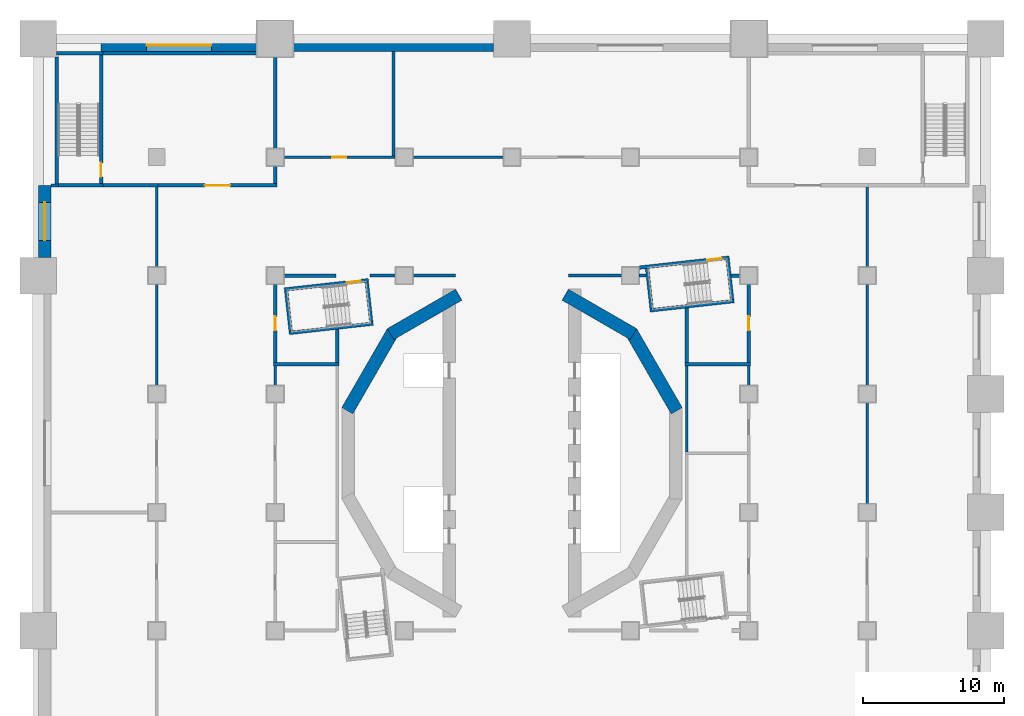
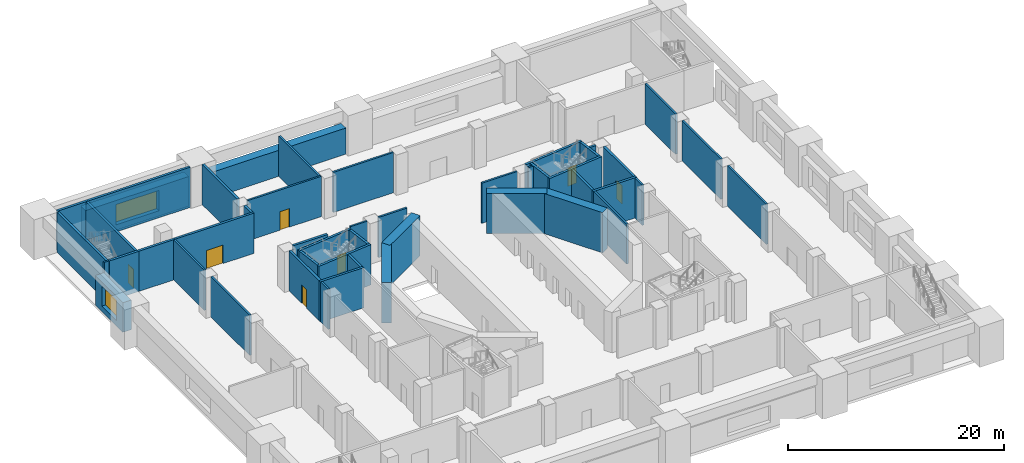
# One storey, part 4 of 17: 48 walls, 7 doors, 2 windows, 9 openings.
"""IFC4 building model written with IfcOpenShell, lengths in metres."""

import ifcopenshell
import ifcopenshell.guid

model = None  # the IFC model being written
_history = None  # IfcOwnerHistory: only IFC2X3 demands one
_inside = {}  # id of a spatial element -> (the spatial element, [elements in it])
_under = {}  # id of a project, library or spatial element -> (it, [spatial elements below it])
_declared = {}  # id of a project -> (the project, [libraries it declares])
_typed = {}  # id of a type object -> (the type object, [elements of that type])
_made_of = {}  # id of a material, layer set ... -> (it, [elements and type objects made of it])


def new_model(schema):
    """Start an empty IFC model of exactly this schema.

    Asked for "IFC4X3", IfcOpenShell would pick the latest addendum, in which some entities
    have other attributes; the version numbers below select the first issue.
    IFC2X3 requires an IfcOwnerHistory on every rooted entity: one is made here for all.
    """
    global model, _history
    if schema == "IFC4X3":
        model = ifcopenshell.file(schema_version=(4, 3, 0, 0))
    else:
        model = ifcopenshell.file(schema=schema)
    _inside.clear()
    _under.clear()
    _declared.clear()
    _typed.clear()
    _made_of.clear()
    _history = None
    if model.schema == "IFC2X3":
        org = make("IfcOrganization", Name="unknown")
        user = make(
            "IfcPersonAndOrganization",
            ThePerson=make("IfcPerson", FamilyName="unknown"),
            TheOrganization=org,
        )
        app = make(
            "IfcApplication",
            ApplicationDeveloper=org,
            Version="unknown",
            ApplicationFullName="unknown",
            ApplicationIdentifier="unknown",
        )
        _history = make(
            "IfcOwnerHistory",
            OwningUser=user,
            OwningApplication=app,
            ChangeAction="ADDED",
            CreationDate=0,
        )
    return model


def make(cls, **values):
    """One entity of the class cls with the attributes given. An attribute that is None is left unset."""
    return model.create_entity(
        cls, **{name: value for name, value in values.items() if value is not None}
    )


def rooted(cls, **values):
    """An entity with a GlobalId (a new one), such as an element, a storey or a relation."""
    return make(cls, GlobalId=ifcopenshell.guid.new(), OwnerHistory=_history, **values)


def si_unit(unit_type, name, prefix=None):
    """IfcSIUnit, for example si_unit("LENGTHUNIT", "METRE", prefix="MILLI")."""
    return make("IfcSIUnit", UnitType=unit_type, Prefix=prefix, Name=name)


def assignment(units):
    """IfcUnitAssignment: the units of a project."""
    return None if units is None else make("IfcUnitAssignment", Units=units)


def point(xyz):
    """IfcCartesianPoint."""
    return None if xyz is None else make("IfcCartesianPoint", Coordinates=xyz)


def direction(xyz):
    """IfcDirection."""
    return None if xyz is None else make("IfcDirection", DirectionRatios=xyz)


def frame(location, z_axis=None, x_axis=None):
    """IfcAxis2Placement3D, a coordinate frame: its origin and axes. An axis left out is left unset."""
    return make(
        "IfcAxis2Placement3D",
        Location=point(location),
        Axis=direction(z_axis),
        RefDirection=direction(x_axis),
    )


def frame_2d(location, x_axis=None):
    """IfcAxis2Placement2D, a coordinate frame in the plane: its origin and x axis."""
    return make(
        "IfcAxis2Placement2D", Location=point(location), RefDirection=direction(x_axis)
    )


def origin():
    """The frame at (0, 0, 0) with its axes left unset."""
    return frame((0.0, 0.0, 0.0))


def place(relative_to, where):
    """IfcLocalPlacement: puts the frame where relative to a parent placement (None: the world)."""
    return make(
        "IfcLocalPlacement", PlacementRelTo=relative_to, RelativePlacement=where
    )


def context(
    kind, dimensions, precision=None, world=None, true_north=None, identifier=None
):
    """IfcGeometricRepresentationContext, for example the 3D "Model" context."""
    return make(
        "IfcGeometricRepresentationContext",
        ContextIdentifier=identifier,
        ContextType=kind,
        CoordinateSpaceDimension=dimensions,
        Precision=precision,
        WorldCoordinateSystem=world,
        TrueNorth=true_north,
    )


def subcontext(parent, identifier, kind, view, scale=None):
    """IfcGeometricRepresentationSubContext, for example "Body" below "Model"."""
    return make(
        "IfcGeometricRepresentationSubContext",
        ContextIdentifier=identifier,
        ContextType=kind,
        ParentContext=parent,
        TargetScale=scale,
        TargetView=view,
    )


def project(units=None, contexts=None):
    """IfcProject with its units and contexts."""
    return rooted(
        "IfcProject",
        Name="project",
        RepresentationContexts=contexts,
        UnitsInContext=assignment(units),
    )


def spatial(cls, under=None, at=None, **own):
    """A site, building, storey or space (cls), placed at a placement, below another one or the project."""
    s = rooted(cls, ObjectPlacement=at, **own)
    if under is not None:
        _under.setdefault(under.id(), (under, []))[1].append(s)
    return s


def profile(cls, at=None, kind="AREA", **sizes):
    """A parametric profile (cls). Its sizes go by their IFC names, for example OverallWidth=200.0."""
    return make(cls, ProfileType=kind, Position=at, **sizes)


def rectangle(**sizes):
    """IfcRectangleProfileDef."""
    return profile("IfcRectangleProfileDef", **sizes)


def extrude(swept, where, along, depth):
    """IfcExtrudedAreaSolid: the profile swept, set in the frame where, extruded along a direction by depth."""
    return make(
        "IfcExtrudedAreaSolid",
        SweptArea=swept,
        Position=where,
        ExtrudedDirection=direction(along),
        Depth=depth,
    )


def shape(context_of_items, identifier, shape_type, items):
    """IfcShapeRepresentation: the items that make up one representation, for example the "Body"."""
    return make(
        "IfcShapeRepresentation",
        ContextOfItems=context_of_items,
        RepresentationIdentifier=identifier,
        RepresentationType=shape_type,
        Items=items,
    )


def material(Name=None, Category=None):
    """IfcMaterial."""
    return make("IfcMaterial", Name=Name, Category=Category)


def layer(
    of_material, thickness, ventilated=None, Name=None, Category=None, Priority=None
):
    """IfcMaterialLayer: one layer of a wall or slab, of a material (None: an air gap)."""
    return make(
        "IfcMaterialLayer",
        Material=of_material,
        LayerThickness=thickness,
        IsVentilated=ventilated,
        Name=Name,
        Category=Category,
        Priority=Priority,
    )


def layer_set(layers, Name=None):
    """IfcMaterialLayerSet."""
    return make("IfcMaterialLayerSet", MaterialLayers=layers, LayerSetName=Name)


def made_of(thing, what):
    """Note that an element or type object is made of a material, layer set ...; save() writes the relation."""
    if what is not None:
        _made_of.setdefault(what.id(), (what, []))[1].append(thing)
    return thing


def type_object(cls, material=None, **own):
    """A type object (cls), such as IfcWallType, which elements share."""
    return made_of(rooted(cls, **own), material)


def element(
    cls,
    number,
    at=None,
    inside=None,
    cuts=None,
    type_object=None,
    material=None,
    context=None,
    identifier="Body",
    shape_type=None,
    held_by="IfcProductDefinitionShape",
    body=None,
    shapes=None,
    **own,
):
    """One element of the class cls, such as IfcWall. Its Tag is "e" and its number.

    at: its placement. inside: the storey or other place that contains it. cuts: it is an
    opening in that element (IfcRelVoidsElement). A single representation is given by context,
    identifier, shape_type and body (its items); several are given by shapes. held_by: the class
    of the entity that holds the representations. save() writes the other relations.
    """
    e = rooted(cls, Tag="e%d" % number, ObjectPlacement=at, **own)
    if body is not None:
        shapes = [shape(context, identifier, shape_type, body)]
    if shapes is not None:
        e.Representation = make(held_by, Representations=shapes)
    if inside is not None:
        _inside.setdefault(inside.id(), (inside, []))[1].append(e)
    if cuts is not None:
        rooted(
            "IfcRelVoidsElement", RelatingBuildingElement=cuts, RelatedOpeningElement=e
        )
    if type_object is not None:
        _typed.setdefault(type_object.id(), (type_object, []))[1].append(e)
    return made_of(e, material)


def fill(opening, filler):
    """IfcRelFillsElement: the door or window that sits in an opening."""
    return rooted(
        "IfcRelFillsElement",
        RelatingOpeningElement=opening,
        RelatedBuildingElement=filler,
    )


def aggregate(whole, parts):
    """IfcRelAggregates: a whole, such as a stair, and the parts it consists of."""
    return rooted("IfcRelAggregates", RelatingObject=whole, RelatedObjects=parts)


def save(model, path):
    """Write the relations noted so far, then the file.

    IfcRelAggregates (storeys below a building ...), IfcRelContainedInSpatialStructure (elements
    in a storey), IfcRelDefinesByType, IfcRelAssociatesMaterial and IfcRelDeclares: one each for
    every whole, place, type object, material and project.
    """
    for whole, parts in _under.values():
        aggregate(whole, parts)
    for where, things in _inside.values():
        rooted(
            "IfcRelContainedInSpatialStructure",
            RelatedElements=things,
            RelatingStructure=where,
        )
    for kind, things in _typed.values():
        rooted("IfcRelDefinesByType", RelatedObjects=things, RelatingType=kind)
    for what, things in _made_of.values():
        rooted("IfcRelAssociatesMaterial", RelatedObjects=things, RelatingMaterial=what)
    for by, libraries in _declared.values():
        rooted("IfcRelDeclares", RelatingContext=by, RelatedDefinitions=libraries)
    model.write(path)


model = new_model("IFC4")

# Units and contexts
model_context = context("Model", 3, precision=1e-05, world=origin(), true_north=direction((0.0, 1.0)))
body_context = subcontext(model_context, "Body", "Model", "MODEL_VIEW")
ifc_project = project(units=[si_unit("LENGTHUNIT", "METRE"), si_unit("AREAUNIT", "SQUARE_METRE"), si_unit("VOLUMEUNIT", "CUBIC_METRE"), si_unit("PLANEANGLEUNIT", "RADIAN"), si_unit("MASSUNIT", "GRAM", prefix="KILO")], contexts=[model_context])

# Site, building, storey
site_placement = place(None, origin())
site = spatial("IfcSite", under=ifc_project, at=site_placement, CompositionType="ELEMENT")
building_placement = place(site_placement, origin())
building = spatial("IfcBuilding", under=site, at=building_placement, Name="Cantera Rosa Tower", CompositionType="ELEMENT")
storey_placement = place(building_placement, frame((0.0, 0.0, 32.0)))
storey = spatial("IfcBuildingStorey", under=building, at=storey_placement, Name="L05", CompositionType="ELEMENT", Elevation=32.0)

# Walls
ifc_material_1 = material(Name="Masonry blockwork", Category="masonry")
ifc_layer_1 = layer(ifc_material_1, 0.199951171875)
ifc_layer_set_1 = layer_set([ifc_layer_1], Name="Blockwork partition 200")
wall_type_1 = type_object("IfcWallType", Name="Blockwork partition 200", PredefinedType="PARTITIONING", material=ifc_layer_set_1)
wall_1_placement = place(storey_placement, frame((-10.07470703125, 12.60009765625, 0.0), z_axis=(0.0, 0.0, 1.0), x_axis=(1.0, 0.0, 0.0)))
element("IfcWall", 1, at=wall_1_placement, inside=storey, type_object=wall_type_1, Name="Partition L05-12", PredefinedType="PARTITIONING", context=body_context, shape_type="SweptSolid", body=[
    extrude(rectangle(XDim=1.82470703125, YDim=0.199951171875, at=frame_2d((0.912353515625, 0.0))), origin(), (0.0, 0.0, 1.0), 4.550048828125),
])
wall_2_placement = place(storey_placement, frame((-7.050048828125, 12.60009765625, 0.0), z_axis=(0.0, 0.0, 1.0), x_axis=(1.0, 0.0, 0.0)))
element("IfcWall", 2, at=wall_2_placement, inside=storey, type_object=wall_type_1, Name="Partition L05-13", PredefinedType="PARTITIONING", context=body_context, shape_type="SweptSolid", body=[
    extrude(rectangle(XDim=3.050048828125, YDim=0.199951171875, at=frame_2d((1.52490234375, 0.0))), origin(), (0.0, 0.0, 1.0), 4.550048828125),
])
wall_3_placement = place(storey_placement, frame((4.0, 12.60009765625, 0.0), z_axis=(0.0, 0.0, 1.0), x_axis=(1.0, 0.0, 0.0)))
element("IfcWall", 3, at=wall_3_placement, inside=storey, type_object=wall_type_1, Name="Partition L05-14", PredefinedType="PARTITIONING", context=body_context, shape_type="SweptSolid", body=[
    extrude(rectangle(XDim=3.800048828125, YDim=0.199951171875, at=frame_2d((1.89990234375, 0.0))), origin(), (0.0, 0.0, 1.0), 4.550048828125),
])
wall_4_placement = place(storey_placement, frame((9.0, 12.60009765625, 0.0), z_axis=(0.0, 0.0, 1.0), x_axis=(1.0, 0.0, 0.0)))
element("IfcWall", 4, at=wall_4_placement, inside=storey, type_object=wall_type_1, Name="Partition L05-15", PredefinedType="PARTITIONING", context=body_context, shape_type="SweptSolid", body=[
    extrude(rectangle(XDim=0.514892578125, YDim=0.199951171875, at=frame_2d((0.25732421875, 0.0))), origin(), (0.0, 0.0, 1.0), 4.550048828125),
])
wall_5_placement = place(storey_placement, frame((12.39990234375, 0.10009765625, 0.0), z_axis=(0.0, 0.0, 1.0), x_axis=(0.0, 1.0, 0.0)))
element("IfcWall", 5, at=wall_5_placement, inside=storey, type_object=wall_type_1, Name="Partition L05-19", PredefinedType="PARTITIONING", context=body_context, shape_type="SweptSolid", body=[
    extrude(rectangle(XDim=6.074951171875, YDim=0.199951171875, at=frame_2d((3.03759765625, 0.0))), origin(), (0.0, 0.0, 1.0), 4.550048828125),
])
for number, where, z_axis, x_axis, name in (
    (6, (16.800048828125, 4.800048828125, 0.0), (0.0, 0.0, 1.0), (0.0, 1.0, 0.0), "Partition L05-28"),
    (7, (-16.800048828125, 4.800048828125, 0.0), (0.0, 0.0, 1.0), (0.0, 1.0, 0.0), "Partition L05-40"),
):
    element("IfcWall", number, at=place(storey_placement, frame(where, z_axis=z_axis, x_axis=x_axis)), inside=storey, type_object=wall_type_1, Name=name, PredefinedType="PARTITIONING", context=body_context, shape_type="SweptSolid", body=[
        extrude(rectangle(XDim=1.375, YDim=0.199951171875, at=frame_2d((0.6875, 0.0))), origin(), (0.0, 0.0, 1.0), 4.550048828125),
    ])
wall_6_placement = place(storey_placement, frame((-32.699951171875, 19.0, 0.0), z_axis=(0.0, 0.0, 1.0), x_axis=(1.0, 0.0, 0.0)))
element("IfcWall", 8, at=wall_6_placement, inside=storey, type_object=wall_type_1, Name="Partition L05-54", PredefinedType="PARTITIONING", context=body_context, shape_type="SweptSolid", body=[
    extrude(rectangle(XDim=0.52490234375, YDim=0.199951171875, at=frame_2d((0.262451171875, 0.0))), origin(), (0.0, 0.0, 1.0), 4.550048828125),
])
wall_7_placement = place(storey_placement, frame((-8.39990234375, 21.10009765625, 0.0), z_axis=(0.0, 0.0, 1.0), x_axis=(0.0, 1.0, 0.0)))
element("IfcWall", 9, at=wall_7_placement, inside=storey, type_object=wall_type_1, Name="Partition L05-76", PredefinedType="PARTITIONING", context=body_context, shape_type="SweptSolid", body=[
    extrude(rectangle(XDim=7.39990234375, YDim=0.199951171875, at=frame_2d((3.699951171875, 0.0))), origin(), (0.0, 0.0, 1.0), 4.550048828125),
])

# Wall, opening, door
wall_8_placement = place(storey_placement, frame((-16.199951171875, 21.0, 0.0), z_axis=(0.0, 0.0, 1.0), x_axis=(1.0, 0.0, 0.0)))
wall_8 = element("IfcWall", 10, at=wall_8_placement, inside=storey, type_object=wall_type_1, Name="Partition L05-77", PredefinedType="PARTITIONING", context=body_context, shape_type="SweptSolid", body=[
    extrude(rectangle(XDim=7.89990234375, YDim=0.199951171875, at=frame_2d((3.949951171875, 0.0))), origin(), (0.0, 0.0, 1.0), 4.550048828125),
])
opening_1_placement = place(wall_8_placement, frame((3.449951171875, 0.0, 0.0)))
opening_1 = element("IfcOpeningElement", 11, at=opening_1_placement, cuts=wall_8, Name="Opening L05-001", PredefinedType="OPENING", context=body_context, shape_type="SweptSolid", body=[
    extrude(rectangle(XDim=1.0, YDim=2.10009765625, at=frame_2d((0.5, 1.050048828125))), frame((0.0, 0.10986328125, 0.0), z_axis=(0.0, -1.0, 0.0), x_axis=(1.0, 0.0, 0.0)), (0.0, 0.0, 1.0), 0.219970703125),
])
ifc_material_2 = material(Name="Timber", Category="wood")
door_type_1 = type_object("IfcDoorType", Name="Door 1000x2100", OperationType="NOTDEFINED", PredefinedType="DOOR", material=ifc_material_2)
door_1_placement = place(opening_1_placement, origin())
door_1 = element("IfcDoor", 12, at=door_1_placement, inside=storey, type_object=door_type_1, Name="Door L05-001", OverallHeight=2.10009765625, OverallWidth=1.0, PredefinedType="DOOR", context=body_context, shape_type="SweptSolid", body=[
    extrude(rectangle(XDim=1.0, YDim=2.10009765625, at=frame_2d((0.5, 1.050048828125))), frame((0.0, 0.02490234375, 0.0), z_axis=(0.0, -1.0, 0.0), x_axis=(1.0, 0.0, 0.0)), (0.0, 0.0, 1.0), 0.050048828125),
])
fill(opening_1, door_1)

# Walls
wall_9_placement = place(storey_placement, frame((-7.050048828125, 21.0, 0.0), z_axis=(0.0, 0.0, 1.0), x_axis=(1.0, 0.0, 0.0)))
element("IfcWall", 13, at=wall_9_placement, inside=storey, type_object=wall_type_1, Name="Partition L05-78", PredefinedType="PARTITIONING", context=body_context, shape_type="SweptSolid", body=[
    extrude(rectangle(XDim=6.449951171875, YDim=0.199951171875, at=frame_2d((3.22509765625, 0.0))), origin(), (0.0, 0.0, 1.0), 4.550048828125),
])
wall_10_placement = place(storey_placement, frame((25.199951171875, -3.60009765625, 0.0), z_axis=(0.0, 0.0, 1.0), x_axis=(0.0, 1.0, 0.0)))
element("IfcWall", 14, at=wall_10_placement, inside=storey, type_object=wall_type_1, Name="Partition L05-88", PredefinedType="PARTITIONING", context=body_context, shape_type="SweptSolid", body=[
    extrude(rectangle(XDim=7.2001953125, YDim=0.199951171875, at=frame_2d((3.60009765625, 0.0))), origin(), (0.0, 0.0, 1.0), 4.550048828125),
])
wall_11_placement = place(storey_placement, frame((25.199951171875, 4.800048828125, 0.0), z_axis=(0.0, 0.0, 1.0), x_axis=(0.0, 1.0, 0.0)))
element("IfcWall", 15, at=wall_11_placement, inside=storey, type_object=wall_type_1, Name="Partition L05-89", PredefinedType="PARTITIONING", context=body_context, shape_type="SweptSolid", body=[
    extrude(rectangle(XDim=7.199951171875, YDim=0.199951171875, at=frame_2d((3.60009765625, 0.0))), origin(), (0.0, 0.0, 1.0), 4.550048828125),
])
wall_12_placement = place(storey_placement, frame((25.199951171875, 13.199951171875, 0.0), z_axis=(0.0, 0.0, 1.0), x_axis=(0.0, 1.0, 0.0)))
element("IfcWall", 16, at=wall_12_placement, inside=storey, type_object=wall_type_1, Name="Partition L05-90", PredefinedType="PARTITIONING", context=body_context, shape_type="SweptSolid", body=[
    extrude(rectangle(XDim=5.675048828125, YDim=0.199951171875, at=frame_2d((2.83740234375, 0.0))), origin(), (0.0, 0.0, 1.0), 4.550048828125),
])
wall_13_placement = place(storey_placement, frame((-25.199951171875, 4.800048828125, 0.0), z_axis=(0.0, 0.0, 1.0), x_axis=(0.0, 1.0, 0.0)))
element("IfcWall", 17, at=wall_13_placement, inside=storey, type_object=wall_type_1, Name="Partition L05-94", PredefinedType="PARTITIONING", context=body_context, shape_type="SweptSolid", body=[
    extrude(rectangle(XDim=7.199951171875, YDim=0.199951171875, at=frame_2d((3.60009765625, 0.0))), origin(), (0.0, 0.0, 1.0), 4.550048828125),
])
wall_14_placement = place(storey_placement, frame((-25.199951171875, 13.199951171875, 0.0), z_axis=(0.0, 0.0, 1.0), x_axis=(0.0, 1.0, 0.0)))
element("IfcWall", 18, at=wall_14_placement, inside=storey, type_object=wall_type_1, Name="Partition L05-95", PredefinedType="PARTITIONING", context=body_context, shape_type="SweptSolid", body=[
    extrude(rectangle(XDim=5.675048828125, YDim=0.199951171875, at=frame_2d((2.83740234375, 0.0))), origin(), (0.0, 0.0, 1.0), 4.550048828125),
])
ifc_material_3 = material(Name="Concrete C70/85", Category="concrete")
ifc_layer_2 = layer(ifc_material_3, 0.89990234375)
ifc_layer_set_2 = layer_set([ifc_layer_2], Name="Drum wall 900")
wall_type_2 = type_object("IfcWallType", Name="Drum wall 900", PredefinedType="SHEAR", material=ifc_layer_set_2)
wall_15_placement = place(storey_placement, frame((-11.684326171875, 3.01025390625, 0.0), z_axis=(0.0, 0.0, 1.0), x_axis=(0.499990282633, 0.866031014036, 0.0)))
element("IfcWall", 19, at=wall_15_placement, inside=storey, type_object=wall_type_2, Name="Drum wall west 4 L05", PredefinedType="SHEAR", context=body_context, shape_type="SweptSolid", body=[
    extrude(rectangle(XDim=6.470458984375, YDim=0.89990234375, at=frame_2d((3.2353515625, 0.0))), origin(), (0.0, 0.0, 1.0), 4.550048828125),
])
for number, where, z_axis, x_axis, name in (
    (20, (-8.61376953125, 8.44921875, 0.0), (0.0, 0.0, 1.0), (0.866026961591, 0.49999730179, 0.0), "Drum wall west 5 L05"),
    (21, (3.77490234375, 11.242919921875, 0.0), (0.0, 0.0, 1.0), (0.866026961591, -0.49999730179, 0.0), "Drum wall east 1 L05"),
):
    element("IfcWall", number, at=place(storey_placement, frame(where, z_axis=z_axis, x_axis=x_axis)), inside=storey, type_object=wall_type_2, Name=name, PredefinedType="SHEAR", context=body_context, shape_type="SweptSolid", body=[
        extrude(rectangle(XDim=5.58740234375, YDim=0.89990234375, at=frame_2d((2.793701171875, 0.0))), origin(), (0.0, 0.0, 1.0), 4.550048828125),
    ])
wall_16_placement = place(storey_placement, frame((8.44921875, 8.61376953125, 0.0), z_axis=(0.0, 0.0, 1.0), x_axis=(0.499990282633, -0.866031014036, 0.0)))
element("IfcWall", 22, at=wall_16_placement, inside=storey, type_object=wall_type_2, Name="Drum wall east 2 L05", PredefinedType="SHEAR", context=body_context, shape_type="SweptSolid", body=[
    extrude(rectangle(XDim=6.470458984375, YDim=0.89990234375, at=frame_2d((3.2353515625, 0.0))), origin(), (0.0, 0.0, 1.0), 4.550048828125),
])
ifc_material_4 = material(Name="Concrete C50/60", Category="concrete")
ifc_layer_3 = layer(ifc_material_4, 0.25)
ifc_layer_set_3 = layer_set([ifc_layer_3], Name="External stair wall 250")
wall_type_3 = type_object("IfcWallType", Name="External stair wall 250", PredefinedType="SOLIDWALL", material=ifc_layer_set_3)
wall_17_placement = place(storey_placement, frame((-32.300048828125, 28.375, 0.0), z_axis=(0.0, 0.0, 1.0), x_axis=(1.0, 0.0, 0.0)))
element("IfcWall", 23, at=wall_17_placement, inside=storey, type_object=wall_type_3, Name="Stair wall L05-48", PredefinedType="SOLIDWALL", context=body_context, shape_type="SweptSolid", body=[
    extrude(rectangle(XDim=3.275146484375, YDim=0.25, at=frame_2d((1.6376953125, 0.0))), origin(), (0.0, 0.0, 1.0), 4.550048828125),
])
ifc_material_5 = material(Name="Masonry blockwork", Category="masonry")
ifc_layer_4 = layer(ifc_material_5, 0.25)
ifc_layer_set_4 = layer_set([ifc_layer_4], Name="Fire-rated external wall 250")
wall_type_4 = type_object("IfcWallType", Name="Fire-rated external wall 250", PredefinedType="PARTITIONING", material=ifc_layer_set_4)
wall_18_placement = place(storey_placement, frame((-29.02490234375, 28.375, 0.0), z_axis=(0.0, 0.0, 1.0), x_axis=(1.0, 0.0, 0.0)))
element("IfcWall", 24, at=wall_18_placement, inside=storey, type_object=wall_type_4, Name="Fire wall L05-49", PredefinedType="PARTITIONING", context=body_context, shape_type="SweptSolid", body=[
    extrude(rectangle(XDim=10.9248046875, YDim=0.25, at=frame_2d((5.46240234375, 0.0))), origin(), (0.0, 0.0, 1.0), 4.550048828125),
])
ifc_material_6 = material(Name="Masonry blockwork", Category="masonry")
ifc_layer_5 = layer(ifc_material_6, 0.25)
ifc_layer_set_5 = layer_set([ifc_layer_5], Name="Fire-rated wall 250")
wall_type_5 = type_object("IfcWallType", Name="Fire-rated wall 250", PredefinedType="PARTITIONING", material=ifc_layer_set_5)
wall_19_placement = place(storey_placement, frame((-12.39990234375, 6.425048828125, 0.0), z_axis=(0.0, 0.0, 1.0), x_axis=(0.0, 1.0, 0.0)))
element("IfcWall", 25, at=wall_19_placement, inside=storey, type_object=wall_type_5, Name="Fire wall L05-10", PredefinedType="PARTITIONING", context=body_context, shape_type="SweptSolid", body=[
    extrude(rectangle(XDim=2.356201171875, YDim=0.25, at=frame_2d((1.17822265625, 0.0))), origin(), (0.0, 0.0, 1.0), 4.550048828125),
])
wall_20_placement = place(storey_placement, frame((-16.199951171875, 12.60009765625, 0.0), z_axis=(0.0, 0.0, 1.0), x_axis=(1.0, 0.0, 0.0)))
element("IfcWall", 26, at=wall_20_placement, inside=storey, type_object=wall_type_5, Name="Fire wall L05-11", PredefinedType="PARTITIONING", context=body_context, shape_type="SweptSolid", body=[
    extrude(rectangle(XDim=3.71044921875, YDim=0.25, at=frame_2d((1.855224609375, 0.0))), origin(), (0.0, 0.0, 1.0), 4.550048828125),
])
wall_21_placement = place(storey_placement, frame((15.5517578125, 12.60009765625, 0.0), z_axis=(0.0, 0.0, 1.0), x_axis=(1.0, 0.0, 0.0)))
element("IfcWall", 27, at=wall_21_placement, inside=storey, type_object=wall_type_5, Name="Fire wall L05-16", PredefinedType="PARTITIONING", context=body_context, shape_type="SweptSolid", body=[
    extrude(rectangle(XDim=0.648193359375, YDim=0.25, at=frame_2d((0.32421875, 0.0))), origin(), (0.0, 0.0, 1.0), 4.550048828125),
])

# Wall, opening, door
wall_22_placement = place(storey_placement, frame((16.800048828125, 6.425048828125, 0.0), z_axis=(0.0, 0.0, 1.0), x_axis=(0.0, 1.0, 0.0)))
wall_22 = element("IfcWall", 28, at=wall_22_placement, inside=storey, type_object=wall_type_5, Name="Fire wall L05-29", PredefinedType="PARTITIONING", context=body_context, shape_type="SweptSolid", body=[
    extrude(rectangle(XDim=5.574951171875, YDim=0.25, at=frame_2d((2.78759765625, 0.0))), origin(), (0.0, 0.0, 1.0), 4.550048828125),
])
opening_2_placement = place(wall_22_placement, frame((2.28759765625, 0.0, 0.0)))
opening_2 = element("IfcOpeningElement", 29, at=opening_2_placement, cuts=wall_22, Name="Opening L05-010", PredefinedType="OPENING", context=body_context, shape_type="SweptSolid", body=[
    extrude(rectangle(XDim=1.0, YDim=2.10009765625, at=frame_2d((0.5, 1.050048828125))), frame((0.0, 0.135009765625, 0.0), z_axis=(0.0, -1.0, 0.0), x_axis=(1.0, 0.0, 0.0)), (0.0, 0.0, 1.0), 0.27001953125),
])
ifc_material_7 = material(Name="Steel S355J2 (EN 10025-2)", Category="steel")
door_type_2 = type_object("IfcDoorType", Name="Fire door 1000x2100 EI 120", OperationType="NOTDEFINED", PredefinedType="DOOR", material=ifc_material_7)
door_2_placement = place(opening_2_placement, origin())
door_2 = element("IfcDoor", 30, at=door_2_placement, inside=storey, type_object=door_type_2, Name="Door L05-010", OverallHeight=2.10009765625, OverallWidth=1.0, PredefinedType="DOOR", context=body_context, shape_type="SweptSolid", body=[
    extrude(rectangle(XDim=1.0, YDim=2.10009765625, at=frame_2d((0.5, 1.050048828125))), frame((0.0, 0.02490234375, 0.0), z_axis=(0.0, -1.0, 0.0), x_axis=(1.0, 0.0, 0.0)), (0.0, 0.0, 1.0), 0.050048828125),
])
fill(opening_2, door_2)

# Walls
for number, where, z_axis, x_axis, name in (
    (31, (-16.925048828125, 6.300048828125, 0.0), (0.0, 0.0, 1.0), (1.0, 0.0, 0.0), "Fire wall L05-33"),
    (32, (12.27490234375, 6.300048828125, 0.0), (0.0, 0.0, 1.0), (1.0, 0.0, 0.0), "Fire wall L05-34"),
):
    element("IfcWall", number, at=place(storey_placement, frame(where, z_axis=z_axis, x_axis=x_axis)), inside=storey, type_object=wall_type_5, Name=name, PredefinedType="PARTITIONING", context=body_context, shape_type="SweptSolid", body=[
        extrude(rectangle(XDim=4.650146484375, YDim=0.25, at=frame_2d((2.3251953125, 0.0))), origin(), (0.0, 0.0, 1.0), 4.550048828125),
    ])

# Wall, opening, door
wall_23_placement = place(storey_placement, frame((-16.800048828125, 6.425048828125, 0.0), z_axis=(0.0, 0.0, 1.0), x_axis=(0.0, 1.0, 0.0)))
wall_23 = element("IfcWall", 33, at=wall_23_placement, inside=storey, type_object=wall_type_5, Name="Fire wall L05-41", PredefinedType="PARTITIONING", context=body_context, shape_type="SweptSolid", body=[
    extrude(rectangle(XDim=5.574951171875, YDim=0.25, at=frame_2d((2.78759765625, 0.0))), origin(), (0.0, 0.0, 1.0), 4.550048828125),
])
opening_3_placement = place(wall_23_placement, frame((2.28759765625, 0.0, 0.0)))
opening_3 = element("IfcOpeningElement", 34, at=opening_3_placement, cuts=wall_23, Name="Opening L05-013", PredefinedType="OPENING", context=body_context, shape_type="SweptSolid", body=[
    extrude(rectangle(XDim=1.0, YDim=2.10009765625, at=frame_2d((0.5, 1.050048828125))), frame((0.0, 0.135009765625, 0.0), z_axis=(0.0, -1.0, 0.0), x_axis=(1.0, 0.0, 0.0)), (0.0, 0.0, 1.0), 0.27001953125),
])
door_3_placement = place(opening_3_placement, origin())
door_3 = element("IfcDoor", 35, at=door_3_placement, inside=storey, type_object=door_type_2, Name="Door L05-013", OverallHeight=2.10009765625, OverallWidth=1.0, PredefinedType="DOOR", context=body_context, shape_type="SweptSolid", body=[
    extrude(rectangle(XDim=1.0, YDim=2.10009765625, at=frame_2d((0.5, 1.050048828125))), frame((0.0, 0.02490234375, 0.0), z_axis=(0.0, -1.0, 0.0), x_axis=(1.0, 0.0, 0.0)), (0.0, 0.0, 1.0), 0.050048828125),
])
fill(opening_3, door_3)

# Walls
wall_24_placement = place(storey_placement, frame((-16.800048828125, 19.125, 0.0), z_axis=(0.0, 0.0, 1.0), x_axis=(0.0, 1.0, 0.0)))
element("IfcWall", 36, at=wall_24_placement, inside=storey, type_object=wall_type_5, Name="Fire wall L05-42", PredefinedType="PARTITIONING", context=body_context, shape_type="SweptSolid", body=[
    extrude(rectangle(XDim=1.27490234375, YDim=0.25, at=frame_2d((0.637451171875, 0.0))), origin(), (0.0, 0.0, 1.0), 4.550048828125),
])
wall_25_placement = place(storey_placement, frame((-16.800048828125, 21.60009765625, 0.0), z_axis=(0.0, 0.0, 1.0), x_axis=(0.0, 1.0, 0.0)))
element("IfcWall", 37, at=wall_25_placement, inside=storey, type_object=wall_type_5, Name="Fire wall L05-43", PredefinedType="PARTITIONING", context=body_context, shape_type="SweptSolid", body=[
    extrude(rectangle(XDim=6.5, YDim=0.25, at=frame_2d((3.25, 0.0))), origin(), (0.0, 0.0, 1.0), 4.550048828125),
])
wall_26_placement = place(storey_placement, frame((-29.02490234375, 19.0, 0.0), z_axis=(0.0, 0.0, 1.0), x_axis=(1.0, 0.0, 0.0)))
element("IfcWall", 38, at=wall_26_placement, inside=storey, type_object=wall_type_5, Name="Fire wall L05-56", PredefinedType="PARTITIONING", context=body_context, shape_type="SweptSolid", body=[
    extrude(rectangle(XDim=3.9248046875, YDim=0.25, at=frame_2d((1.96240234375, 0.0))), origin(), (0.0, 0.0, 1.0), 4.550048828125),
])

# Wall, opening, door
wall_27_placement = place(storey_placement, frame((-25.10009765625, 19.0, 0.0), z_axis=(0.0, 0.0, 1.0), x_axis=(1.0, 0.0, 0.0)))
wall_27 = element("IfcWall", 39, at=wall_27_placement, inside=storey, type_object=wall_type_5, Name="Fire wall L05-57", PredefinedType="PARTITIONING", context=body_context, shape_type="SweptSolid", body=[
    extrude(rectangle(XDim=8.425048828125, YDim=0.25, at=frame_2d((4.21240234375, 0.0))), origin(), (0.0, 0.0, 1.0), 4.550048828125),
])
opening_4_placement = place(wall_27_placement, frame((3.3125, 0.0, 0.0)))
opening_4 = element("IfcOpeningElement", 40, at=opening_4_placement, cuts=wall_27, Name="Opening L05-016", PredefinedType="OPENING", context=body_context, shape_type="SweptSolid", body=[
    extrude(rectangle(XDim=1.800048828125, YDim=2.10009765625, at=frame_2d((0.89990234375, 1.050048828125))), frame((0.0, 0.135009765625, 0.0), z_axis=(0.0, -1.0, 0.0), x_axis=(1.0, 0.0, 0.0)), (0.0, 0.0, 1.0), 0.27001953125),
])
ifc_material_8 = material(Name="Steel S355J2 (EN 10025-2)", Category="steel")
door_type_3 = type_object("IfcDoorType", Name="Fire double door 1800x2100", OperationType="NOTDEFINED", PredefinedType="DOOR", material=ifc_material_8)
door_4_placement = place(opening_4_placement, origin())
door_4 = element("IfcDoor", 41, at=door_4_placement, inside=storey, type_object=door_type_3, Name="Door L05-016", OperationType="DOUBLE_DOOR_SINGLE_SWING", OverallHeight=2.10009765625, OverallWidth=1.800048828125, PredefinedType="DOOR", context=body_context, shape_type="SweptSolid", body=[
    extrude(rectangle(XDim=1.800048828125, YDim=2.10009765625, at=frame_2d((0.89990234375, 1.050048828125))), frame((0.0, 0.02490234375, 0.0), z_axis=(0.0, -1.0, 0.0), x_axis=(1.0, 0.0, 0.0)), (0.0, 0.0, 1.0), 0.050048828125),
])
fill(opening_4, door_4)

# Walls
ifc_material_9 = material(Name="Concrete C50/60", Category="concrete")
ifc_layer_6 = layer(ifc_material_9, 0.25)
ifc_layer_set_6 = layer_set([ifc_layer_6], Name="RC stair wall 250 C50/60")
wall_type_6 = type_object("IfcWallType", Name="RC stair wall 250", PredefinedType="SOLIDWALL", material=ifc_layer_set_6)
wall_28_placement = place(storey_placement, frame((12.39990234375, 6.425048828125, 0.0), z_axis=(0.0, 0.0, 1.0), x_axis=(0.0, 1.0, 0.0)))
element("IfcWall", 42, at=wall_28_placement, inside=storey, type_object=wall_type_6, Name="Fire wall L05-20", PredefinedType="PARTITIONING", context=body_context, shape_type="SweptSolid", body=[
    extrude(rectangle(XDim=3.867431640625, YDim=0.25, at=frame_2d((1.93359375, 0.0))), origin(), (0.0, 0.0, 1.0), 4.550048828125),
])
wall_29_placement = place(storey_placement, frame((-32.175048828125, 19.0, 0.0), z_axis=(0.0, 0.0, 1.0), x_axis=(1.0, 0.0, 0.0)))
element("IfcWall", 43, at=wall_29_placement, inside=storey, type_object=wall_type_6, Name="Stair wall L05-55", PredefinedType="SOLIDWALL", context=body_context, shape_type="SweptSolid", body=[
    extrude(rectangle(XDim=3.150146484375, YDim=0.25, at=frame_2d((1.5751953125, 0.0))), origin(), (0.0, 0.0, 1.0), 4.550048828125),
])

# Wall, opening, door
wall_30_placement = place(storey_placement, frame((-29.14990234375, 19.125, 0.0), z_axis=(0.0, 0.0, 1.0), x_axis=(0.0, 1.0, 0.0)))
wall_30 = element("IfcWall", 44, at=wall_30_placement, inside=storey, type_object=wall_type_6, Name="Stair wall L05-62", PredefinedType="SOLIDWALL", context=body_context, shape_type="SweptSolid", body=[
    extrude(rectangle(XDim=9.25, YDim=0.25, at=frame_2d((4.625, 0.0))), origin(), (0.0, 0.0, 1.0), 4.550048828125),
])
opening_5_placement = place(wall_30_placement, frame((0.47509765625, 0.0, 0.0)))
opening_5 = element("IfcOpeningElement", 45, at=opening_5_placement, cuts=wall_30, Name="Opening L05-017", PredefinedType="OPENING", context=body_context, shape_type="SweptSolid", body=[
    extrude(rectangle(XDim=1.0, YDim=2.10009765625, at=frame_2d((0.5, 1.050048828125))), frame((0.0, 0.135009765625, 0.0), z_axis=(0.0, -1.0, 0.0), x_axis=(1.0, 0.0, 0.0)), (0.0, 0.0, 1.0), 0.27001953125),
])
door_5_placement = place(opening_5_placement, origin())
door_5 = element("IfcDoor", 46, at=door_5_placement, inside=storey, type_object=door_type_2, Name="Door L05-017", OverallHeight=2.10009765625, OverallWidth=1.0, PredefinedType="DOOR", context=body_context, shape_type="SweptSolid", body=[
    extrude(rectangle(XDim=1.0, YDim=2.10009765625, at=frame_2d((0.5, 1.050048828125))), frame((0.0, 0.02490234375, 0.0), z_axis=(0.0, -1.0, 0.0), x_axis=(1.0, 0.0, 0.0)), (0.0, 0.0, 1.0), 0.050048828125),
])
fill(opening_5, door_5)

# Walls
wall_31_placement = place(storey_placement, frame((-32.300048828125, 19.10009765625, 0.0), z_axis=(0.0, 0.0, 1.0), x_axis=(0.0, 1.0, 0.0)))
element("IfcWall", 47, at=wall_31_placement, inside=storey, type_object=wall_type_6, Name="Stair wall L05-64", PredefinedType="SOLIDWALL", context=body_context, shape_type="SweptSolid", body=[
    extrude(rectangle(XDim=9.0, YDim=0.25, at=frame_2d((4.5, 0.0))), origin(), (0.0, 0.0, 1.0), 4.550048828125),
])
wall_32_placement = place(storey_placement, frame((15.30029296875, 13.7333984375, 0.0), z_axis=(0.0, 0.0, 1.0), x_axis=(0.110252878147, -0.99390356819, 0.0)))
element("IfcWall", 48, at=wall_32_placement, inside=storey, type_object=wall_type_6, Name="Stair wall ST-11 L05-1", PredefinedType="SOLIDWALL", context=body_context, shape_type="SweptSolid", body=[
    extrude(rectangle(XDim=2.849853515625, YDim=0.25, at=frame_2d((1.4248046875, 0.0))), origin(), (0.0, 0.0, 1.0), 4.550048828125),
])
wall_33_placement = place(storey_placement, frame((15.752685546875, 10.790283203125, 0.0), z_axis=(0.0, 0.0, 1.0), x_axis=(-0.993897125329, -0.110310943534, 0.0)))
element("IfcWall", 49, at=wall_33_placement, inside=storey, type_object=wall_type_6, Name="Stair wall ST-11 L05-2", PredefinedType="SOLIDWALL", context=body_context, shape_type="SweptSolid", body=[
    extrude(rectangle(XDim=6.0, YDim=0.25, at=frame_2d((3.0, 0.0))), origin(), (0.0, 0.0, 1.0), 4.550048828125),
])
wall_34_placement = place(storey_placement, frame((9.899658203125, 10.2666015625, 0.0), z_axis=(0.0, 0.0, 1.0), x_axis=(-0.110252878147, 0.99390356819, 0.0)))
element("IfcWall", 50, at=wall_34_placement, inside=storey, type_object=wall_type_6, Name="Stair wall ST-11 L05-3", PredefinedType="SOLIDWALL", context=body_context, shape_type="SweptSolid", body=[
    extrude(rectangle(XDim=2.849853515625, YDim=0.25, at=frame_2d((1.4248046875, 0.0))), origin(), (0.0, 0.0, 1.0), 4.550048828125),
])

# Wall, opening, door
wall_35_placement = place(storey_placement, frame((9.003662109375, 13.160400390625, 0.0), z_axis=(0.0, 0.0, 1.0), x_axis=(0.993895737244, 0.1103234494, 0.0)))
wall_35 = element("IfcWall", 51, at=wall_35_placement, inside=storey, type_object=wall_type_6, Name="Stair wall ST-11 L05-4", PredefinedType="SOLIDWALL", context=body_context, shape_type="SweptSolid", body=[
    extrude(rectangle(XDim=6.4462890625, YDim=0.25, at=frame_2d((3.22314453125, 0.0))), origin(), (0.0, 0.0, 1.0), 4.550048828125),
])
opening_6_placement = place(wall_35_placement, frame((4.896240234375, 0.0, 0.0)))
opening_6 = element("IfcOpeningElement", 52, at=opening_6_placement, cuts=wall_35, Name="Opening L05-ST-11", PredefinedType="OPENING", context=body_context, shape_type="SweptSolid", body=[
    extrude(rectangle(XDim=1.0, YDim=2.10009765625, at=frame_2d((0.5, 1.050048828125))), frame((0.0, 0.135009765625, 0.0), z_axis=(0.0, -1.0, 0.0), x_axis=(1.0, 0.0, 0.0)), (0.0, 0.0, 1.0), 0.27001953125),
])
door_6_placement = place(opening_6_placement, origin())
door_6 = element("IfcDoor", 53, at=door_6_placement, inside=storey, type_object=door_type_2, Name="Door L05-ST-11", OverallHeight=2.10009765625, OverallWidth=1.0, PredefinedType="DOOR", context=body_context, shape_type="SweptSolid", body=[
    extrude(rectangle(XDim=1.0, YDim=2.10009765625, at=frame_2d((0.5, 1.050048828125))), frame((0.0, 0.02490234375, 0.0), z_axis=(0.0, -1.0, 0.0), x_axis=(1.0, 0.0, 0.0)), (0.0, 0.0, 1.0), 0.050048828125),
])
fill(opening_6, door_6)

# Walls
wall_36_placement = place(storey_placement, frame((-10.2998046875, 12.133544921875, 0.0), z_axis=(0.0, 0.0, 1.0), x_axis=(0.110328108544, -0.993895220063, 0.0)))
element("IfcWall", 54, at=wall_36_placement, inside=storey, type_object=wall_type_6, Name="Stair wall ST-12 L05-1", PredefinedType="SOLIDWALL", context=body_context, shape_type="SweptSolid", body=[
    extrude(rectangle(XDim=2.85009765625, YDim=0.25, at=frame_2d((1.425048828125, 0.0))), origin(), (0.0, 0.0, 1.0), 4.550048828125),
])
wall_37_placement = place(storey_placement, frame((-9.847412109375, 9.1904296875, 0.0), z_axis=(0.0, 0.0, 1.0), x_axis=(-0.993897125329, -0.110310943534, 0.0)))
element("IfcWall", 55, at=wall_37_placement, inside=storey, type_object=wall_type_6, Name="Stair wall ST-12 L05-2", PredefinedType="SOLIDWALL", context=body_context, shape_type="SweptSolid", body=[
    extrude(rectangle(XDim=6.0, YDim=0.25, at=frame_2d((3.0, 0.0))), origin(), (0.0, 0.0, 1.0), 4.550048828125),
])
wall_38_placement = place(storey_placement, frame((-15.7001953125, 8.66650390625, 0.0), z_axis=(0.0, 0.0, 1.0), x_axis=(-0.110328108544, 0.993895220063, 0.0)))
element("IfcWall", 56, at=wall_38_placement, inside=storey, type_object=wall_type_6, Name="Stair wall ST-12 L05-3", PredefinedType="SOLIDWALL", context=body_context, shape_type="SweptSolid", body=[
    extrude(rectangle(XDim=2.85009765625, YDim=0.25, at=frame_2d((1.425048828125, 0.0))), origin(), (0.0, 0.0, 1.0), 4.550048828125),
])

# Wall, opening, door
wall_39_placement = place(storey_placement, frame((-16.152587890625, 11.609619140625, 0.0), z_axis=(0.0, 0.0, 1.0), x_axis=(0.993897125329, 0.110310943534, 0.0)))
wall_39 = element("IfcWall", 57, at=wall_39_placement, inside=storey, type_object=wall_type_6, Name="Stair wall ST-12 L05-4", PredefinedType="SOLIDWALL", context=body_context, shape_type="SweptSolid", body=[
    extrude(rectangle(XDim=6.0, YDim=0.25, at=frame_2d((3.0, 0.0))), origin(), (0.0, 0.0, 1.0), 4.550048828125),
])
opening_7_placement = place(wall_39_placement, frame((4.449951171875, 0.0, 0.0)))
opening_7 = element("IfcOpeningElement", 58, at=opening_7_placement, cuts=wall_39, Name="Opening L05-ST-12", PredefinedType="OPENING", context=body_context, shape_type="SweptSolid", body=[
    extrude(rectangle(XDim=1.0, YDim=2.10009765625, at=frame_2d((0.5, 1.050048828125))), frame((0.0, 0.135009765625, 0.0), z_axis=(0.0, -1.0, 0.0), x_axis=(1.0, 0.0, 0.0)), (0.0, 0.0, 1.0), 0.27001953125),
])
door_7_placement = place(opening_7_placement, origin())
door_7 = element("IfcDoor", 59, at=door_7_placement, inside=storey, type_object=door_type_2, Name="Door L05-ST-12", OverallHeight=2.10009765625, OverallWidth=1.0, PredefinedType="DOOR", context=body_context, shape_type="SweptSolid", body=[
    extrude(rectangle(XDim=1.0, YDim=2.10009765625, at=frame_2d((0.5, 1.050048828125))), frame((0.0, 0.02490234375, 0.0), z_axis=(0.0, -1.0, 0.0), x_axis=(1.0, 0.0, 0.0)), (0.0, 0.0, 1.0), 0.050048828125),
])
fill(opening_7, door_7)

# Wall, opening, window
ifc_material_10 = material(Name="Concrete C40/50 with limestone facing", Category="masonry")
ifc_layer_7 = layer(ifc_material_10, 0.89990234375)
ifc_layer_set_7 = layer_set([ifc_layer_7], Name="Stone podium wall 900")
wall_type_7 = type_object("IfcWallType", Name="Stone podium wall 900", PredefinedType="SOLIDWALL", material=ifc_layer_set_7)
wall_40_placement = place(storey_placement, frame((-29.14990234375, 28.949951171875, 0.0), z_axis=(0.0, 0.0, 1.0), x_axis=(1.0, 0.0, 0.0)))
wall_40 = element("IfcWall", 60, at=wall_40_placement, inside=storey, type_object=wall_type_7, Name="Stone wall N L05-1", PredefinedType="SOLIDWALL", context=body_context, shape_type="SweptSolid", body=[
    extrude(rectangle(XDim=11.0498046875, YDim=0.89990234375, at=frame_2d((5.52490234375, 0.0))), origin(), (0.0, 0.0, 1.0), 3.35009765625),
])
opening_8_placement = place(wall_40_placement, frame((3.22509765625, 0.0, 0.60009765625)))
opening_8 = element("IfcOpeningElement", 61, at=opening_8_placement, cuts=wall_40, Name="Opening L05-PWN1", PredefinedType="OPENING", context=body_context, shape_type="SweptSolid", body=[
    extrude(rectangle(XDim=4.60009765625, YDim=2.300048828125, at=frame_2d((2.300048828125, 1.14990234375))), frame((0.0, 0.4599609375, 0.0), z_axis=(0.0, -1.0, 0.0), x_axis=(1.0, 0.0, 0.0)), (0.0, 0.0, 1.0), 0.919921875),
])
ifc_material_11 = material(Name="Glass", Category="glass")
window_type_1 = type_object("IfcWindowType", Name="Podium window 4600x2300", PartitioningType="SINGLE_PANEL", PredefinedType="WINDOW", material=ifc_material_11)
window_1_placement = place(opening_8_placement, origin())
window_1 = element("IfcWindow", 62, at=window_1_placement, inside=storey, type_object=window_type_1, Name="Podium window L05-N1", OverallHeight=2.300048828125, OverallWidth=4.60009765625, PartitioningType="SINGLE_PANEL", PredefinedType="WINDOW", context=body_context, shape_type="SweptSolid", body=[
    extrude(rectangle(XDim=4.60009765625, YDim=2.300048828125, at=frame_2d((2.300048828125, 1.14990234375))), frame((0.0, 0.030029296875, 0.0), z_axis=(0.0, -1.0, 0.0), x_axis=(1.0, 0.0, 0.0)), (0.0, 0.0, 1.0), 0.06005859375),
])
fill(opening_8, window_1)

wall_41_placement = place(storey_placement, frame((-33.14990234375, 19.0, 0.0), z_axis=(0.0, 0.0, 1.0), x_axis=(0.0, -1.0, 0.0)))
wall_41 = element("IfcWall", 63, at=wall_41_placement, inside=storey, type_object=wall_type_7, Name="Stone wall W L05-3", PredefinedType="SOLIDWALL", context=body_context, shape_type="SweptSolid", body=[
    extrude(rectangle(XDim=5.10009765625, YDim=0.89990234375, at=frame_2d((2.550048828125, 0.0))), origin(), (0.0, 0.0, 1.0), 3.35009765625),
])
opening_9_placement = place(wall_41_placement, frame((1.199951171875, 0.0, 0.60009765625)))
opening_9 = element("IfcOpeningElement", 64, at=opening_9_placement, cuts=wall_41, Name="Opening L05-PWW3", PredefinedType="OPENING", context=body_context, shape_type="SweptSolid", body=[
    extrude(rectangle(XDim=2.699951171875, YDim=2.300048828125, at=frame_2d((1.35009765625, 1.14990234375))), frame((0.0, 0.4599609375, 0.0), z_axis=(0.0, -1.0, 0.0), x_axis=(1.0, 0.0, 0.0)), (0.0, 0.0, 1.0), 0.919921875),
])
ifc_material_12 = material(Name="Glass", Category="glass")
window_type_2 = type_object("IfcWindowType", Name="Podium window 2700x2300", PartitioningType="SINGLE_PANEL", PredefinedType="WINDOW", material=ifc_material_12)
window_2_placement = place(opening_9_placement, origin())
window_2 = element("IfcWindow", 65, at=window_2_placement, inside=storey, type_object=window_type_2, Name="Podium window L05-W3", OverallHeight=2.300048828125, OverallWidth=2.699951171875, PartitioningType="SINGLE_PANEL", PredefinedType="WINDOW", context=body_context, shape_type="SweptSolid", body=[
    extrude(rectangle(XDim=2.699951171875, YDim=2.300048828125, at=frame_2d((1.35009765625, 1.14990234375))), frame((0.0, 0.030029296875, 0.0), z_axis=(0.0, -1.0, 0.0), x_axis=(1.0, 0.0, 0.0)), (0.0, 0.0, 1.0), 0.06005859375),
])
fill(opening_9, window_2)

# Wall
ifc_material_13 = material(Name="Concrete C40/50 with limestone facing", Category="masonry")
ifc_layer_8 = layer(ifc_material_13, 0.89990234375)
ifc_layer_set_8 = layer_set([ifc_layer_8], Name="Stone podium wall 900 under deep girder")
wall_type_8 = type_object("IfcWallType", Name="Stone podium wall 900 under deep girder", PredefinedType="SOLIDWALL", material=ifc_layer_set_8)
wall_42_placement = place(storey_placement, frame((-15.5, 28.949951171875, 0.0), z_axis=(0.0, 0.0, 1.0), x_axis=(1.0, 0.0, 0.0)))
element("IfcWall", 66, at=wall_42_placement, inside=storey, type_object=wall_type_8, Name="Stone wall N L05-2", PredefinedType="SOLIDWALL", context=body_context, shape_type="SweptSolid", body=[
    extrude(rectangle(XDim=14.199951171875, YDim=0.89990234375, at=frame_2d((7.10009765625, 0.0))), origin(), (0.0, 0.0, 1.0), 2.949951171875),
])

save(model, "model.ifc")
